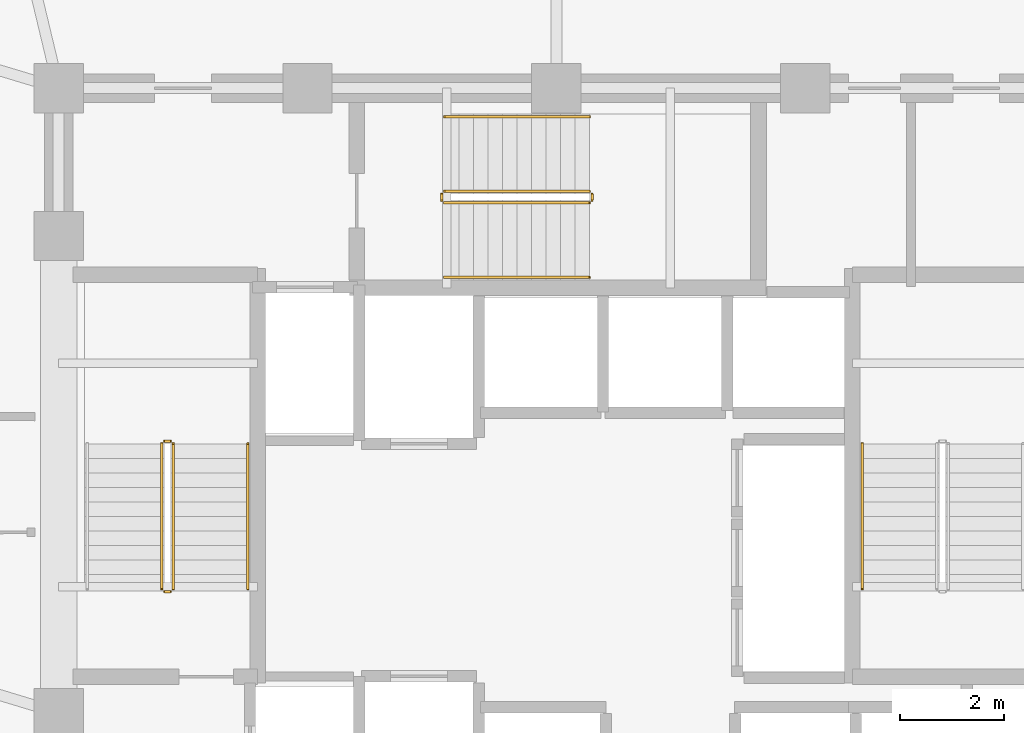
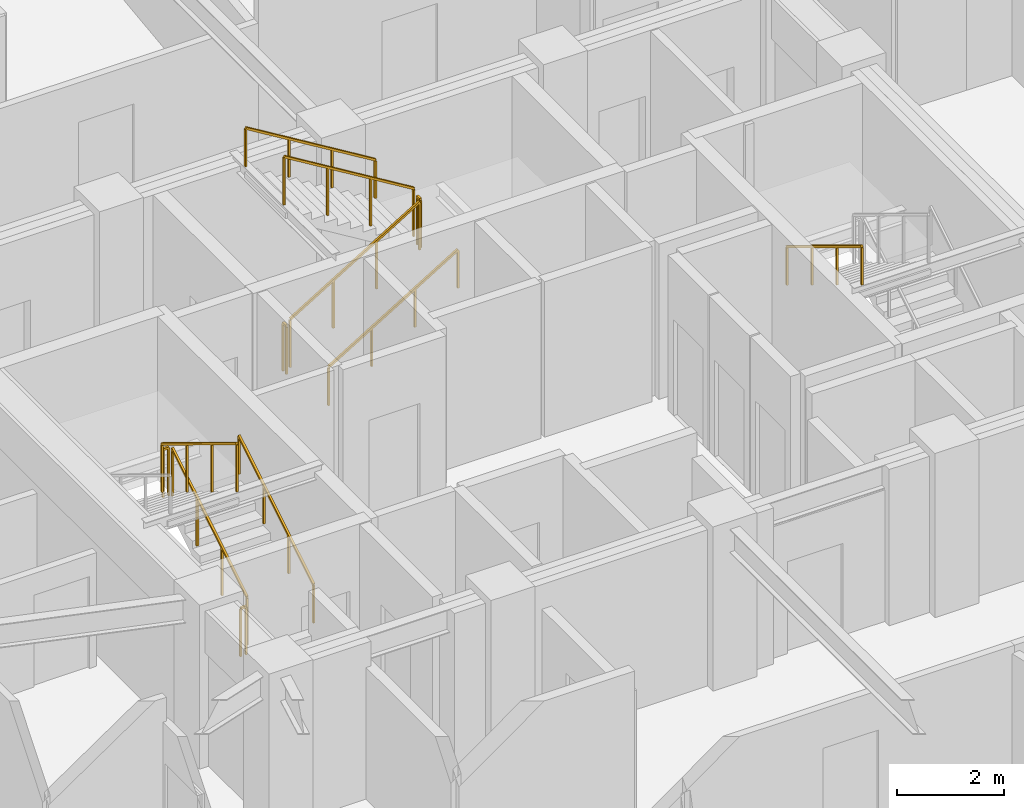
# One storey, part 27 of 29: 12 railings.
"""IFC4 building model written with IfcOpenShell, lengths in metres."""

from ifc_helpers import new_model, si_unit, direction, frame, origin, origin_2d, place, context, subcontext, project, spatial, rectangle, extrude, material, type_object, element, save


model = new_model("IFC4")

# Units and contexts
model_context = context("Model", 3, precision=1e-05, world=origin(), true_north=direction((0.0, 1.0)))
body_context = subcontext(model_context, "Body", "Model", "MODEL_VIEW")
ifc_project = project(units=[si_unit("LENGTHUNIT", "METRE"), si_unit("AREAUNIT", "SQUARE_METRE"), si_unit("VOLUMEUNIT", "CUBIC_METRE"), si_unit("PLANEANGLEUNIT", "RADIAN"), si_unit("MASSUNIT", "GRAM", prefix="KILO")], contexts=[model_context])

# Site, building, storey
site_placement = place(None, origin())
site = spatial("IfcSite", under=ifc_project, at=site_placement, CompositionType="ELEMENT")
building_placement = place(site_placement, origin())
building = spatial("IfcBuilding", under=site, at=building_placement, Name="Vantalir Tower", CompositionType="ELEMENT")
storey_placement = place(building_placement, frame((0.0, 0.0, 157.199951171875)))
storey = spatial("IfcBuildingStorey", under=building, at=storey_placement, Name="L39", CompositionType="ELEMENT", Elevation=157.199951171875)

# Railings
ifc_material_1 = material(Name="Anodised aluminium and stainless steel guard", Category="steel")
railing_type_1 = type_object("IfcRailingType", Name="RAL-GUARD-1120", PredefinedType="GUARDRAIL", material=ifc_material_1)
railing_1_placement = place(storey_placement, frame((24.110107421875, 22.7900390625, 0.17041015625)))
element("IfcRailing", 1, at=railing_1_placement, inside=storey, type_object=railing_type_1, Name="L39 ST1 stair guard 1", PredefinedType="GUARDRAIL", context=body_context, shape_type="SweptSolid", body=[
    extrude(rectangle(XDim=0.048095703125, YDim=0.048095703125, at=origin_2d()), frame((0.0, 0.0, 1.09619140625), z_axis=(0.0, 0.854169791009, 0.51999420009), x_axis=(-1.0, 0.0, 0.0)), (0.0, 0.0, 1.0), 3.278076171875),
    extrude(rectangle(XDim=0.0419921875, YDim=0.0419921875, at=origin_2d()), origin(), (0.0, 0.0, 1.0), 1.072021484375),
    extrude(rectangle(XDim=0.0419921875, YDim=0.0419921875, at=origin_2d()), frame((0.0, 0.933349609375, 0.568115234375)), (0.0, 0.0, 1.0), 1.072021484375),
    extrude(rectangle(XDim=0.0419921875, YDim=0.0419921875, at=origin_2d()), frame((0.0, 1.86669921875, 1.136474609375)), (0.0, 0.0, 1.0), 1.072021484375),
    extrude(rectangle(XDim=0.0419921875, YDim=0.0419921875, at=origin_2d()), frame((0.0, 2.800048828125, 1.70458984375)), (0.0, 0.0, 1.0), 1.072021484375),
])
railing_2_placement = place(storey_placement, frame((24.06005859375, 25.639892578125, 1.875)))
element("IfcRailing", 2, at=railing_2_placement, inside=storey, type_object=railing_type_1, Name="L39 ST1 stair guard 2", PredefinedType="GUARDRAIL", context=body_context, shape_type="SweptSolid", body=[
    extrude(rectangle(XDim=0.048095703125, YDim=0.048095703125, at=origin_2d()), frame((0.0, 0.0, 1.09619140625), z_axis=(-1.0, 0.0, 0.0), x_axis=(0.0, -1.0, 0.0)), (0.0, 0.0, 1.0), 0.1201171875),
    extrude(rectangle(XDim=0.0419921875, YDim=0.0419921875, at=origin_2d()), origin(), (0.0, 0.0, 1.0), 1.072021484375),
    extrude(rectangle(XDim=0.0419921875, YDim=0.0419921875, at=origin_2d()), frame((-0.1201171875, 0.0, 0.0)), (0.0, 0.0, 1.0), 1.072021484375),
])
railing_3_placement = place(storey_placement, frame((23.889892578125, 25.590087890625, 2.04541015625)))
element("IfcRailing", 3, at=railing_3_placement, inside=storey, type_object=railing_type_1, Name="L39 ST1 stair guard 3", PredefinedType="GUARDRAIL", context=body_context, shape_type="SweptSolid", body=[
    extrude(rectangle(XDim=0.048095703125, YDim=0.048095703125, at=origin_2d()), frame((0.0, 0.0, 1.09619140625), z_axis=(0.0, -0.854169791009, 0.51999420009), x_axis=(1.0, 0.0, 0.0)), (0.0, 0.0, 1.0), 3.278076171875),
    extrude(rectangle(XDim=0.0419921875, YDim=0.0419921875, at=origin_2d()), origin(), (0.0, 0.0, 1.0), 1.072021484375),
    extrude(rectangle(XDim=0.0419921875, YDim=0.0419921875, at=origin_2d()), frame((0.0, -0.933349609375, 0.568115234375)), (0.0, 0.0, 1.0), 1.072021484375),
    extrude(rectangle(XDim=0.0419921875, YDim=0.0419921875, at=origin_2d()), frame((0.0, -1.86669921875, 1.136474609375)), (0.0, 0.0, 1.0), 1.072021484375),
    extrude(rectangle(XDim=0.0419921875, YDim=0.0419921875, at=origin_2d()), frame((0.0, -2.800048828125, 1.70458984375)), (0.0, 0.0, 1.0), 1.072021484375),
])
railing_4_placement = place(storey_placement, frame((24.06005859375, 22.739990234375, 0.0)))
element("IfcRailing", 4, at=railing_4_placement, inside=storey, type_object=railing_type_1, Name="L39 ST1 stair guard 4", PredefinedType="GUARDRAIL", context=body_context, shape_type="SweptSolid", body=[
    extrude(rectangle(XDim=0.048095703125, YDim=0.048095703125, at=origin_2d()), frame((0.0, 0.0, 1.09619140625), z_axis=(-1.0, 0.0, 0.0), x_axis=(0.0, -1.0, 0.0)), (0.0, 0.0, 1.0), 0.1201171875),
    extrude(rectangle(XDim=0.0419921875, YDim=0.0419921875, at=origin_2d()), origin(), (0.0, 0.0, 1.0), 1.072021484375),
    extrude(rectangle(XDim=0.0419921875, YDim=0.0419921875, at=origin_2d()), frame((-0.1201171875, 0.0, 0.0)), (0.0, 0.0, 1.0), 1.072021484375),
])
railing_5_placement = place(storey_placement, frame((29.340087890625, 30.239990234375, 0.17041015625)))
element("IfcRailing", 5, at=railing_5_placement, inside=storey, type_object=railing_type_1, Name="L39 ST3 stair guard 1", PredefinedType="GUARDRAIL", context=body_context, shape_type="SweptSolid", body=[
    extrude(rectangle(XDim=0.048095703125, YDim=0.048095703125, at=origin_2d()), frame((0.0, 0.0, 1.09619140625), z_axis=(0.854149651119, 0.0, 0.520027281489), x_axis=(0.0, 1.0, 0.0)), (0.0, 0.0, 1.0), 3.27783203125),
    extrude(rectangle(XDim=0.0419921875, YDim=0.0419921875, at=origin_2d()), origin(), (0.0, 0.0, 1.0), 1.072021484375),
    extrude(rectangle(XDim=0.0419921875, YDim=0.0419921875, at=origin_2d()), frame((0.933349609375, 0.0, 0.568115234375)), (0.0, 0.0, 1.0), 1.072021484375),
    extrude(rectangle(XDim=0.0419921875, YDim=0.0419921875, at=origin_2d()), frame((1.866455078125, 0.0, 1.136474609375)), (0.0, 0.0, 1.0), 1.072021484375),
    extrude(rectangle(XDim=0.0419921875, YDim=0.0419921875, at=origin_2d()), frame((2.7998046875, 0.0, 1.70458984375)), (0.0, 0.0, 1.0), 1.072021484375),
])
railing_6_placement = place(storey_placement, frame((32.18994140625, 30.2900390625, 1.875)))
element("IfcRailing", 6, at=railing_6_placement, inside=storey, type_object=railing_type_1, Name="L39 ST3 stair guard 2", PredefinedType="GUARDRAIL", context=body_context, shape_type="SweptSolid", body=[
    extrude(rectangle(XDim=0.048095703125, YDim=0.048095703125, at=origin_2d()), frame((0.0, 0.0, 1.09619140625), z_axis=(0.0, 1.0, 0.0), x_axis=(-1.0, 0.0, 0.0)), (0.0, 0.0, 1.0), 0.119873046875),
    extrude(rectangle(XDim=0.0419921875, YDim=0.0419921875, at=origin_2d()), origin(), (0.0, 0.0, 1.0), 1.072021484375),
    extrude(rectangle(XDim=0.0419921875, YDim=0.0419921875, at=origin_2d()), frame((0.0, 0.119873046875, 0.0)), (0.0, 0.0, 1.0), 1.072021484375),
])
railing_7_placement = place(storey_placement, frame((32.139892578125, 30.4599609375, 2.04541015625)))
element("IfcRailing", 7, at=railing_7_placement, inside=storey, type_object=railing_type_1, Name="L39 ST3 stair guard 3", PredefinedType="GUARDRAIL", context=body_context, shape_type="SweptSolid", body=[
    extrude(rectangle(XDim=0.048095703125, YDim=0.048095703125, at=origin_2d()), frame((0.0, 0.0, 1.09619140625), z_axis=(-0.854149651119, 0.0, 0.520027281489), x_axis=(0.0, -1.0, 0.0)), (0.0, 0.0, 1.0), 3.27783203125),
    extrude(rectangle(XDim=0.0419921875, YDim=0.0419921875, at=origin_2d()), origin(), (0.0, 0.0, 1.0), 1.072021484375),
    extrude(rectangle(XDim=0.0419921875, YDim=0.0419921875, at=origin_2d()), frame((-0.933349609375, 0.0, 0.568115234375)), (0.0, 0.0, 1.0), 1.072021484375),
    extrude(rectangle(XDim=0.0419921875, YDim=0.0419921875, at=origin_2d()), frame((-1.866455078125, 0.0, 1.136474609375)), (0.0, 0.0, 1.0), 1.072021484375),
    extrude(rectangle(XDim=0.0419921875, YDim=0.0419921875, at=origin_2d()), frame((-2.7998046875, 0.0, 1.70458984375)), (0.0, 0.0, 1.0), 1.072021484375),
])
railing_8_placement = place(storey_placement, frame((29.2900390625, 30.2900390625, 0.0)))
element("IfcRailing", 8, at=railing_8_placement, inside=storey, type_object=railing_type_1, Name="L39 ST3 stair guard 4", PredefinedType="GUARDRAIL", context=body_context, shape_type="SweptSolid", body=[
    extrude(rectangle(XDim=0.048095703125, YDim=0.048095703125, at=origin_2d()), frame((0.0, 0.0, 1.09619140625), z_axis=(0.0, 1.0, 0.0), x_axis=(-1.0, 0.0, 0.0)), (0.0, 0.0, 1.0), 0.119873046875),
    extrude(rectangle(XDim=0.0419921875, YDim=0.0419921875, at=origin_2d()), origin(), (0.0, 0.0, 1.0), 1.072021484375),
    extrude(rectangle(XDim=0.0419921875, YDim=0.0419921875, at=origin_2d()), frame((0.0, 0.119873046875, 0.0)), (0.0, 0.0, 1.0), 1.072021484375),
])
ifc_material_2 = material(Name="Brushed stainless steel tubular handrail", Category="steel")
railing_type_2 = type_object("IfcRailingType", Name="RAL-HANDRAIL-900", PredefinedType="HANDRAIL", material=ifc_material_2)
railing_9_placement = place(storey_placement, frame((25.550048828125, 22.7900390625, 0.17041015625)))
element("IfcRailing", 9, at=railing_9_placement, inside=storey, type_object=railing_type_2, Name="L39 ST1 stair handrail 1", PredefinedType="HANDRAIL", context=body_context, shape_type="SweptSolid", body=[
    extrude(rectangle(XDim=0.048095703125, YDim=0.048095703125, at=origin_2d()), frame((0.0, 0.0, 0.8759765625), z_axis=(0.0, 0.854169791009, 0.51999420009), x_axis=(-1.0, 0.0, 0.0)), (0.0, 0.0, 1.0), 3.278076171875),
    extrude(rectangle(XDim=0.0419921875, YDim=0.0419921875, at=origin_2d()), origin(), (0.0, 0.0, 1.0), 0.851806640625),
    extrude(rectangle(XDim=0.0419921875, YDim=0.0419921875, at=origin_2d()), frame((0.0, 0.933349609375, 0.568115234375)), (0.0, 0.0, 1.0), 0.851806640625),
    extrude(rectangle(XDim=0.0419921875, YDim=0.0419921875, at=origin_2d()), frame((0.0, 1.86669921875, 1.136474609375)), (0.0, 0.0, 1.0), 0.851806640625),
    extrude(rectangle(XDim=0.0419921875, YDim=0.0419921875, at=origin_2d()), frame((0.0, 2.800048828125, 1.70458984375)), (0.0, 0.0, 1.0), 0.851806640625),
])
railing_10_placement = place(storey_placement, frame((37.39990234375, 25.590087890625, 2.04541015625)))
element("IfcRailing", 10, at=railing_10_placement, inside=storey, type_object=railing_type_2, Name="L39 ST2 stair handrail 2", PredefinedType="HANDRAIL", context=body_context, shape_type="SweptSolid", body=[
    extrude(rectangle(XDim=0.048095703125, YDim=0.048095703125, at=origin_2d()), frame((0.0, 0.0, 0.8759765625), z_axis=(0.0, -0.854169791009, 0.51999420009), x_axis=(1.0, 0.0, 0.0)), (0.0, 0.0, 1.0), 3.278076171875),
    extrude(rectangle(XDim=0.0419921875, YDim=0.0419921875, at=origin_2d()), origin(), (0.0, 0.0, 1.0), 0.851806640625),
    extrude(rectangle(XDim=0.0419921875, YDim=0.0419921875, at=origin_2d()), frame((0.0, -0.933349609375, 0.568115234375)), (0.0, 0.0, 1.0), 0.851806640625),
    extrude(rectangle(XDim=0.0419921875, YDim=0.0419921875, at=origin_2d()), frame((0.0, -1.86669921875, 1.136474609375)), (0.0, 0.0, 1.0), 0.851806640625),
    extrude(rectangle(XDim=0.0419921875, YDim=0.0419921875, at=origin_2d()), frame((0.0, -2.800048828125, 1.70458984375)), (0.0, 0.0, 1.0), 0.851806640625),
])
railing_11_placement = place(storey_placement, frame((29.340087890625, 28.800048828125, 0.17041015625)))
element("IfcRailing", 11, at=railing_11_placement, inside=storey, type_object=railing_type_2, Name="L39 ST3 stair handrail 1", PredefinedType="HANDRAIL", context=body_context, shape_type="SweptSolid", body=[
    extrude(rectangle(XDim=0.048095703125, YDim=0.048095703125, at=origin_2d()), frame((0.0, 0.0, 0.8759765625), z_axis=(0.854149651119, 0.0, 0.520027281489), x_axis=(0.0, 1.0, 0.0)), (0.0, 0.0, 1.0), 3.27783203125),
    extrude(rectangle(XDim=0.0419921875, YDim=0.0419921875, at=origin_2d()), origin(), (0.0, 0.0, 1.0), 0.851806640625),
    extrude(rectangle(XDim=0.0419921875, YDim=0.0419921875, at=origin_2d()), frame((0.933349609375, 0.0, 0.568115234375)), (0.0, 0.0, 1.0), 0.851806640625),
    extrude(rectangle(XDim=0.0419921875, YDim=0.0419921875, at=origin_2d()), frame((1.866455078125, 0.0, 1.136474609375)), (0.0, 0.0, 1.0), 0.851806640625),
    extrude(rectangle(XDim=0.0419921875, YDim=0.0419921875, at=origin_2d()), frame((2.7998046875, 0.0, 1.70458984375)), (0.0, 0.0, 1.0), 0.851806640625),
])
railing_12_placement = place(storey_placement, frame((32.139892578125, 31.89990234375, 2.04541015625)))
element("IfcRailing", 12, at=railing_12_placement, inside=storey, type_object=railing_type_2, Name="L39 ST3 stair handrail 2", PredefinedType="HANDRAIL", context=body_context, shape_type="SweptSolid", body=[
    extrude(rectangle(XDim=0.048095703125, YDim=0.048095703125, at=origin_2d()), frame((0.0, 0.0, 0.8759765625), z_axis=(-0.854149651119, 0.0, 0.520027281489), x_axis=(0.0, -1.0, 0.0)), (0.0, 0.0, 1.0), 3.27783203125),
    extrude(rectangle(XDim=0.0419921875, YDim=0.0419921875, at=origin_2d()), origin(), (0.0, 0.0, 1.0), 0.851806640625),
    extrude(rectangle(XDim=0.0419921875, YDim=0.0419921875, at=origin_2d()), frame((-0.933349609375, 0.0, 0.568115234375)), (0.0, 0.0, 1.0), 0.851806640625),
    extrude(rectangle(XDim=0.0419921875, YDim=0.0419921875, at=origin_2d()), frame((-1.866455078125, 0.0, 1.136474609375)), (0.0, 0.0, 1.0), 0.851806640625),
    extrude(rectangle(XDim=0.0419921875, YDim=0.0419921875, at=origin_2d()), frame((-2.7998046875, 0.0, 1.70458984375)), (0.0, 0.0, 1.0), 0.851806640625),
])

save(model, "model.ifc")
